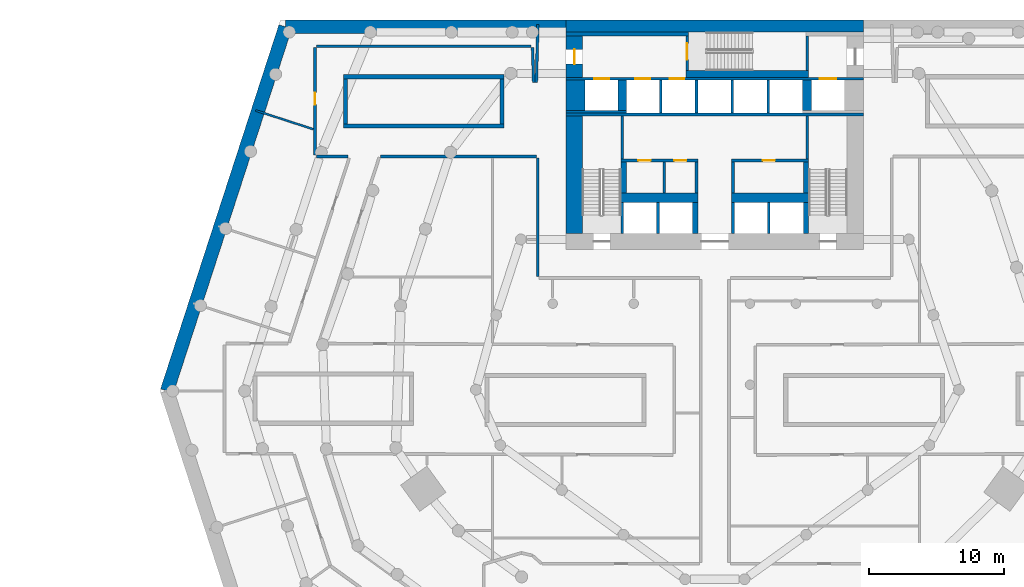
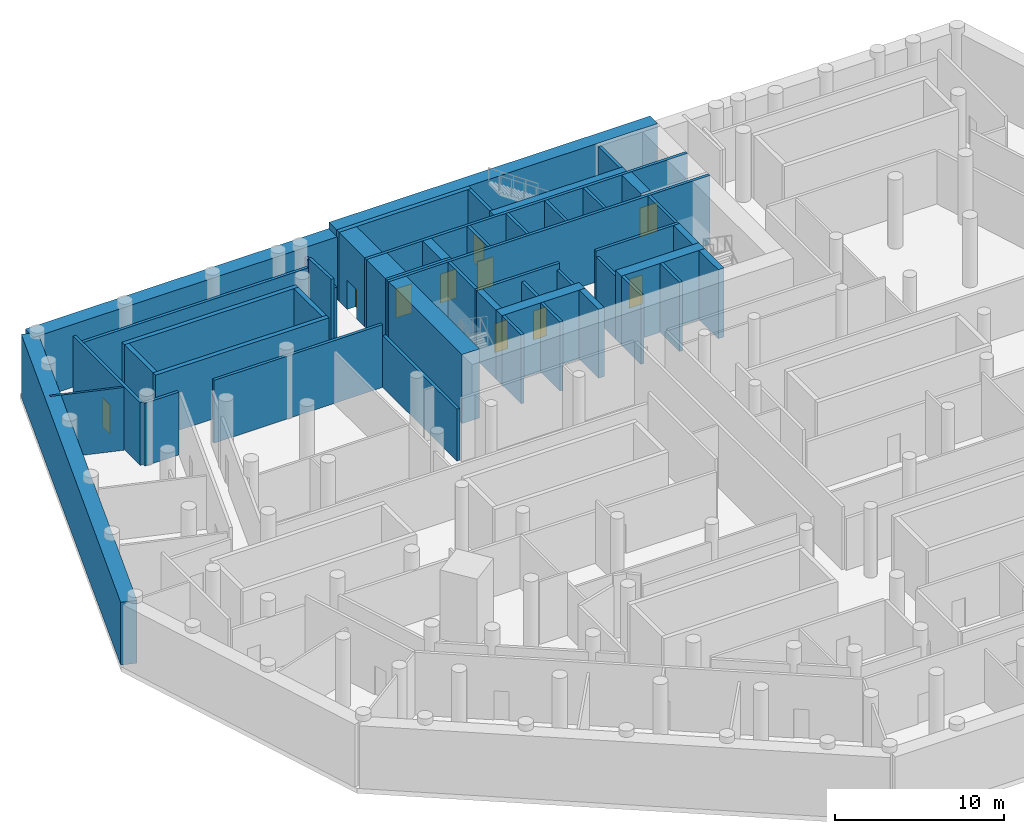
# One storey, part 8 of 10: 48 walls, 10 doors, 10 openings.
"""IFC4 building model written with IfcOpenShell, lengths in metres."""

from ifc_helpers import new_model, si_unit, direction, frame, frame_2d, origin, place, context, subcontext, project, spatial, rectangle, extrude, material, layer, layer_set, type_object, element, fill, save


model = new_model("IFC4")

# Units and contexts
model_context = context("Model", 3, precision=1e-05, world=origin(), true_north=direction((0.0, 1.0)))
body_context = subcontext(model_context, "Body", "Model", "MODEL_VIEW")
ifc_project = project(units=[si_unit("LENGTHUNIT", "METRE"), si_unit("AREAUNIT", "SQUARE_METRE"), si_unit("VOLUMEUNIT", "CUBIC_METRE"), si_unit("PLANEANGLEUNIT", "RADIAN"), si_unit("MASSUNIT", "GRAM", prefix="KILO")], contexts=[model_context])

# Site, building, storey
site_placement = place(None, origin())
site = spatial("IfcSite", under=ifc_project, at=site_placement, CompositionType="ELEMENT")
building_placement = place(site_placement, origin())
building = spatial("IfcBuilding", under=site, at=building_placement, Name="White Candle Pilgrim Tower", CompositionType="ELEMENT")
storey_placement = place(building_placement, frame((0.0, 0.0, -5.0)))
storey = spatial("IfcBuildingStorey", under=building, at=storey_placement, Name="B1", CompositionType="ELEMENT", Elevation=-5.0)

# Wall, opening, door
ifc_material_1 = material(Name="Concrete C70/85", Category="concrete")
ifc_layer_1 = layer(ifc_material_1, 1.199951171875)
ifc_layer_set_1 = layer_set([ifc_layer_1], Name="Core wall 1200 mm Concrete C70/85")
wall_type_1 = type_object("IfcWallType", Name="Core wall 1200 mm Concrete C70/85", PredefinedType="SHEAR", material=ifc_layer_set_1)
wall_1_placement = place(storey_placement, frame((59.60009765625, 83.75, 0.0), z_axis=(0.0, 0.0, 1.0), x_axis=(0.0, 1.0, 0.0)))
wall_1 = element("IfcWall", 1, at=wall_1_placement, inside=storey, type_object=wall_type_1, Name="WL-B1-C33", PredefinedType="SHEAR", context=body_context, shape_type="SweptSolid", body=[
    extrude(rectangle(XDim=3.050048828125, YDim=1.199951171875, at=frame_2d((1.52490234375, 0.0))), origin(), (0.0, 0.0, 1.0), 5.0),
])
opening_1_placement = place(wall_1_placement, frame((0.97509765625, 0.0, 0.0)))
opening_1 = element("IfcOpeningElement", 2, at=opening_1_placement, cuts=wall_1, Name="Opening B1-005", PredefinedType="OPENING", context=body_context, shape_type="SweptSolid", body=[
    extrude(rectangle(XDim=1.10009765625, YDim=2.10009765625, at=frame_2d((0.550048828125, 1.050048828125))), frame((0.0, 0.60986328125, 0.0), z_axis=(0.0, -1.0, 0.0), x_axis=(1.0, 0.0, 0.0)), (0.0, 0.0, 1.0), 1.219970703125),
])
ifc_material_2 = material(Name="Steel door leaf", Category="steel")
door_type_1 = type_object("IfcDoorType", Name="Fire door 1100 x 2100 EI 60", OperationType="NOTDEFINED", PredefinedType="DOOR", material=ifc_material_2)
door_1_placement = place(opening_1_placement, origin())
door_1 = element("IfcDoor", 3, at=door_1_placement, inside=storey, type_object=door_type_1, Name="Door B1-005", OperationType="SINGLE_SWING_LEFT", OverallHeight=2.10009765625, OverallWidth=1.10009765625, PredefinedType="DOOR", context=body_context, shape_type="SweptSolid", body=[
    extrude(rectangle(XDim=1.10009765625, YDim=2.10009765625, at=frame_2d((0.550048828125, 1.050048828125))), frame((0.0, 0.02490234375, 0.0), z_axis=(0.0, -1.0, 0.0), x_axis=(1.0, 0.0, 0.0)), (0.0, 0.0, 1.0), 0.050048828125),
])
fill(opening_1, door_1)

# Walls
ifc_layer_2 = layer(ifc_material_1, 1.39990234375)
ifc_layer_set_2 = layer_set([ifc_layer_2], Name="Core wall 1400 mm Concrete C70/85")
wall_type_2 = type_object("IfcWallType", Name="Core wall 1400 mm Concrete C70/85", PredefinedType="SHEAR", material=ifc_layer_set_2)
wall_2_placement = place(storey_placement, frame((59.699951171875, 81.300048828125, 0.0), z_axis=(0.0, 0.0, 1.0), x_axis=(0.0, 1.0, 0.0)))
element("IfcWall", 4, at=wall_2_placement, inside=storey, type_object=wall_type_2, Name="WL-B1-C28", PredefinedType="SHEAR", context=body_context, shape_type="SweptSolid", body=[
    extrude(rectangle(XDim=2.25, YDim=1.39990234375, at=frame_2d((1.125, 0.0))), origin(), (0.0, 0.0, 1.0), 5.0),
])
ifc_layer_3 = layer(ifc_material_1, 0.199951171875)
ifc_layer_set_3 = layer_set([ifc_layer_3], Name="Core wall 200 mm Concrete C70/85")
wall_type_3 = type_object("IfcWallType", Name="Core wall 200 mm Concrete C70/85", PredefinedType="SHEAR", material=ifc_layer_set_3)
wall_3_placement = place(storey_placement, frame((59.0, 81.199951171875, 0.0), z_axis=(0.0, 0.0, 1.0), x_axis=(1.0, 0.0, 0.0)))
element("IfcWall", 5, at=wall_3_placement, inside=storey, type_object=wall_type_3, Name="WL-B1-C22", PredefinedType="SHEAR", context=body_context, shape_type="SweptSolid", body=[
    extrude(rectangle(XDim=4.449951171875, YDim=0.199951171875, at=frame_2d((2.22509765625, 0.0))), origin(), (0.0, 0.0, 1.0), 5.0),
])

# Wall, openings, doors
wall_4_placement = place(storey_placement, frame((59.0, 83.64990234375, 0.0), z_axis=(0.0, 0.0, 1.0), x_axis=(1.0, 0.0, 0.0)))
wall_4 = element("IfcWall", 6, at=wall_4_placement, inside=storey, type_object=wall_type_3, Name="WL-B1-C32", PredefinedType="SHEAR", context=body_context, shape_type="SweptSolid", body=[
    extrude(rectangle(XDim=22.0, YDim=0.199951171875, at=frame_2d((11.0, 0.0))), origin(), (0.0, 0.0, 1.0), 5.0),
])
opening_2_placement = place(wall_4_placement, frame((5.125, 0.0, 0.0)))
opening_2 = element("IfcOpeningElement", 7, at=opening_2_placement, cuts=wall_4, Name="Opening B1-007", PredefinedType="OPENING", context=body_context, shape_type="SweptSolid", body=[
    extrude(rectangle(XDim=1.10009765625, YDim=2.10009765625, at=frame_2d((0.550048828125, 1.050048828125))), frame((0.0, 0.10986328125, 0.0), z_axis=(0.0, -1.0, 0.0), x_axis=(1.0, 0.0, 0.0)), (0.0, 0.0, 1.0), 0.219970703125),
])
opening_3_placement = place(wall_4_placement, frame((7.64990234375, 0.0, 0.0)))
opening_3 = element("IfcOpeningElement", 8, at=opening_3_placement, cuts=wall_4, Name="Opening B1-008", PredefinedType="OPENING", context=body_context, shape_type="SweptSolid", body=[
    extrude(rectangle(XDim=1.10009765625, YDim=2.10009765625, at=frame_2d((0.550048828125, 1.050048828125))), frame((0.0, 0.10986328125, 0.0), z_axis=(0.0, -1.0, 0.0), x_axis=(1.0, 0.0, 0.0)), (0.0, 0.0, 1.0), 0.219970703125),
])
opening_4_placement = place(wall_4_placement, frame((18.77490234375, 0.0, 0.0)))
opening_4 = element("IfcOpeningElement", 9, at=opening_4_placement, cuts=wall_4, Name="Opening B1-009", PredefinedType="OPENING", context=body_context, shape_type="SweptSolid", body=[
    extrude(rectangle(XDim=1.199951171875, YDim=2.10009765625, at=frame_2d((0.60009765625, 1.050048828125))), frame((0.0, 0.10986328125, 0.0), z_axis=(0.0, -1.0, 0.0), x_axis=(1.0, 0.0, 0.0)), (0.0, 0.0, 1.0), 0.219970703125),
])
opening_5_placement = place(wall_4_placement, frame((2.074951171875, 0.0, 0.0)))
opening_5 = element("IfcOpeningElement", 10, at=opening_5_placement, cuts=wall_4, Name="Opening B1-010", PredefinedType="OPENING", context=body_context, shape_type="SweptSolid", body=[
    extrude(rectangle(XDim=1.10009765625, YDim=2.10009765625, at=frame_2d((0.550048828125, 1.050048828125))), frame((0.0, 0.10986328125, 0.0), z_axis=(0.0, -1.0, 0.0), x_axis=(1.0, 0.0, 0.0)), (0.0, 0.0, 1.0), 0.219970703125),
])
ifc_material_3 = material(Name="Stainless steel", Category="steel")
door_type_2 = type_object("IfcDoorType", Name="Lift landing door 1100 x 2100 EI 60", OperationType="DOUBLE_DOOR_SLIDING", PredefinedType="DOOR", material=ifc_material_3)
door_2_placement = place(opening_2_placement, origin())
door_2 = element("IfcDoor", 11, at=door_2_placement, inside=storey, type_object=door_type_2, Name="Door B1-007", OperationType="DOUBLE_DOOR_SLIDING", OverallHeight=2.10009765625, OverallWidth=1.10009765625, PredefinedType="DOOR", context=body_context, shape_type="SweptSolid", body=[
    extrude(rectangle(XDim=1.10009765625, YDim=2.10009765625, at=frame_2d((0.550048828125, 1.050048828125))), frame((0.0, 0.02490234375, 0.0), z_axis=(0.0, -1.0, 0.0), x_axis=(1.0, 0.0, 0.0)), (0.0, 0.0, 1.0), 0.050048828125),
])
fill(opening_2, door_2)
door_3_placement = place(opening_3_placement, origin())
door_3 = element("IfcDoor", 12, at=door_3_placement, inside=storey, type_object=door_type_2, Name="Door B1-008", OperationType="DOUBLE_DOOR_SLIDING", OverallHeight=2.10009765625, OverallWidth=1.10009765625, PredefinedType="DOOR", context=body_context, shape_type="SweptSolid", body=[
    extrude(rectangle(XDim=1.10009765625, YDim=2.10009765625, at=frame_2d((0.550048828125, 1.050048828125))), frame((0.0, 0.02490234375, 0.0), z_axis=(0.0, -1.0, 0.0), x_axis=(1.0, 0.0, 0.0)), (0.0, 0.0, 1.0), 0.050048828125),
])
fill(opening_3, door_3)
door_4_placement = place(opening_5_placement, origin())
door_4 = element("IfcDoor", 13, at=door_4_placement, inside=storey, type_object=door_type_2, Name="Door B1-010", OperationType="DOUBLE_DOOR_SLIDING", OverallHeight=2.10009765625, OverallWidth=1.10009765625, PredefinedType="DOOR", context=body_context, shape_type="SweptSolid", body=[
    extrude(rectangle(XDim=1.10009765625, YDim=2.10009765625, at=frame_2d((0.550048828125, 1.050048828125))), frame((0.0, 0.02490234375, 0.0), z_axis=(0.0, -1.0, 0.0), x_axis=(1.0, 0.0, 0.0)), (0.0, 0.0, 1.0), 0.050048828125),
])
fill(opening_5, door_4)
door_type_3 = type_object("IfcDoorType", Name="Lift landing door 1200 x 2100 E 60", OperationType="DOUBLE_DOOR_SLIDING", PredefinedType="DOOR", material=ifc_material_3)
door_5_placement = place(opening_4_placement, origin())
door_5 = element("IfcDoor", 14, at=door_5_placement, inside=storey, type_object=door_type_3, Name="Door B1-009", OperationType="DOUBLE_DOOR_SLIDING", OverallHeight=2.10009765625, OverallWidth=1.199951171875, PredefinedType="DOOR", context=body_context, shape_type="SweptSolid", body=[
    extrude(rectangle(XDim=1.199951171875, YDim=2.10009765625, at=frame_2d((0.60009765625, 1.050048828125))), frame((0.0, 0.02490234375, 0.0), z_axis=(0.0, -1.0, 0.0), x_axis=(1.0, 0.0, 0.0)), (0.0, 0.0, 1.0), 0.050048828125),
])
fill(opening_4, door_5)

# Wall
ifc_material_4 = material(Name="Gypsum board on steel studs", Category="steel")
ifc_layer_4 = layer(ifc_material_4, 0.199951171875)
ifc_layer_set_4 = layer_set([ifc_layer_4], Name="Corridor wall 200 mm EI 45")
wall_type_4 = type_object("IfcWallType", Name="Corridor wall 200 mm EI 45", PredefinedType="PARTITIONING", material=ifc_layer_set_4)
wall_5_placement = place(storey_placement, frame((42.8349609375, 77.89990234375, 0.0), z_axis=(0.0, 0.0, 1.0), x_axis=(-1.0, 0.0, 0.0)))
element("IfcWall", 15, at=wall_5_placement, inside=storey, type_object=wall_type_4, Name="WL-B1-P006", PredefinedType="PARTITIONING", context=body_context, shape_type="SweptSolid", body=[
    extrude(rectangle(XDim=2.3349609375, YDim=0.199951171875, at=frame_2d((1.16748046875, 0.0))), origin(), (0.0, 0.0, 1.0), 4.550048828125),
])

# Wall, opening, door
wall_6_placement = place(storey_placement, frame((40.39990234375, 78.0, 0.0), z_axis=(0.0, 0.0, 1.0), x_axis=(0.0, 1.0, 0.0)))
wall_6 = element("IfcWall", 16, at=wall_6_placement, inside=storey, type_object=wall_type_4, Name="WL-B1-P007", PredefinedType="PARTITIONING", context=body_context, shape_type="SweptSolid", body=[
    extrude(rectangle(XDim=7.949951171875, YDim=0.199951171875, at=frame_2d((3.97509765625, 0.0))), origin(), (0.0, 0.0, 1.0), 4.550048828125),
])
opening_6_placement = place(wall_6_placement, frame((3.7275390625, 0.0, 0.0)))
opening_6 = element("IfcOpeningElement", 17, at=opening_6_placement, cuts=wall_6, Name="Opening B1-101", PredefinedType="OPENING", context=body_context, shape_type="SweptSolid", body=[
    extrude(rectangle(XDim=0.89990234375, YDim=2.10009765625, at=frame_2d((0.449951171875, 1.050048828125))), frame((0.0, 0.10986328125, 0.0), z_axis=(0.0, -1.0, 0.0), x_axis=(1.0, 0.0, 0.0)), (0.0, 0.0, 1.0), 0.219970703125),
])
door_type_4 = type_object("IfcDoorType", Name="Fire door 900 x 2100 EI 30", OperationType="NOTDEFINED", PredefinedType="DOOR", material=ifc_material_2)
door_6_placement = place(opening_6_placement, origin())
door_6 = element("IfcDoor", 18, at=door_6_placement, inside=storey, type_object=door_type_4, Name="Door B1-101", OperationType="SINGLE_SWING_LEFT", OverallHeight=2.10009765625, OverallWidth=0.89990234375, PredefinedType="DOOR", context=body_context, shape_type="SweptSolid", body=[
    extrude(rectangle(XDim=0.89990234375, YDim=2.10009765625, at=frame_2d((0.449951171875, 1.050048828125))), frame((0.0, 0.02490234375, 0.0), z_axis=(0.0, -1.0, 0.0), x_axis=(1.0, 0.0, 0.0)), (0.0, 0.0, 1.0), 0.050048828125),
])
fill(opening_6, door_6)

# Walls
wall_7_placement = place(storey_placement, frame((40.5, 86.050048828125, 0.0), z_axis=(0.0, 0.0, 1.0), x_axis=(1.0, 0.0, 0.0)))
element("IfcWall", 19, at=wall_7_placement, inside=storey, type_object=wall_type_4, Name="WL-B1-P008", PredefinedType="PARTITIONING", context=body_context, shape_type="SweptSolid", body=[
    extrude(rectangle(XDim=15.9033203125, YDim=0.199951171875, at=frame_2d((7.95166015625, 0.0))), origin(), (0.0, 0.0, 1.0), 3.85009765625),
])
wall_8_placement = place(storey_placement, frame((56.503173828125, 85.953369140625, 0.0), z_axis=(0.0, 0.0, 1.0), x_axis=(0.033027267016, -0.999454451005, 0.0)))
element("IfcWall", 20, at=wall_8_placement, inside=storey, type_object=wall_type_4, Name="WL-B1-P009", PredefinedType="PARTITIONING", context=body_context, shape_type="SweptSolid", body=[
    extrude(rectangle(XDim=2.572509765625, YDim=0.199951171875, at=frame_2d((1.2861328125, 0.0))), origin(), (0.0, 0.0, 1.0), 4.550048828125),
])
wall_9_placement = place(storey_placement, frame((56.7880859375, 83.383056640625, 0.0), z_axis=(0.0, 0.0, 1.0), x_axis=(0.026025742555, 0.999661272994, 0.0)))
element("IfcWall", 21, at=wall_9_placement, inside=storey, type_object=wall_type_4, Name="WL-B1-P010", PredefinedType="PARTITIONING", context=body_context, shape_type="SweptSolid", body=[
    extrude(rectangle(XDim=4.29638671875, YDim=0.199951171875, at=frame_2d((2.148193359375, 0.0))), origin(), (0.0, 0.0, 1.0), 3.85009765625),
])
wall_10_placement = place(storey_placement, frame((56.89990234375, 69.0, 0.0), z_axis=(0.0, 0.0, 1.0), x_axis=(0.0, 1.0, 0.0)))
element("IfcWall", 22, at=wall_10_placement, inside=storey, type_object=wall_type_4, Name="WL-B1-P051", PredefinedType="PARTITIONING", context=body_context, shape_type="SweptSolid", body=[
    extrude(rectangle(XDim=8.800048828125, YDim=0.199951171875, at=frame_2d((4.39990234375, 0.0))), origin(), (0.0, 0.0, 1.0), 3.75),
])
wall_11_placement = place(storey_placement, frame((56.800048828125, 77.89990234375, 0.0), z_axis=(0.0, 0.0, 1.0), x_axis=(-1.0, 0.0, 0.0)))
element("IfcWall", 23, at=wall_11_placement, inside=storey, type_object=wall_type_4, Name="WL-B1-P052", PredefinedType="PARTITIONING", context=body_context, shape_type="SweptSolid", body=[
    extrude(rectangle(XDim=11.546875, YDim=0.199951171875, at=frame_2d((5.7734375, 0.0))), origin(), (0.0, 0.0, 1.0), 4.550048828125),
])
ifc_material_5 = material(Name="Concrete C40/50", Category="concrete")
ifc_layer_5 = layer(ifc_material_5, 1.0)
ifc_layer_set_5 = layer_set([ifc_layer_5], Name="Diaphragm wall 1000")
wall_type_5 = type_object("IfcWallType", Name="Diaphragm wall 1000", PredefinedType="SOLIDWALL", material=ifc_layer_set_5)
wall_12_placement = place(storey_placement, frame((29.44580078125, 60.539306640625, 0.0), z_axis=(0.0, 0.0, 1.0), x_axis=(0.309015382076, 0.951057040161, 0.0)))
element("IfcWall", 24, at=wall_12_placement, inside=storey, type_object=wall_type_5, Name="Diaphragm wall B1-06", PredefinedType="SOLIDWALL", context=body_context, shape_type="SweptSolid", body=[
    extrude(rectangle(XDim=28.34814453125, YDim=1.0, at=frame_2d((14.174072265625, 0.0))), origin(), (0.0, 0.0, 1.0), 4.550048828125),
])
wall_13_placement = place(storey_placement, frame((38.205810546875, 87.5, 0.0), z_axis=(0.0, 0.0, 1.0), x_axis=(1.0, 0.0, 0.0)))
element("IfcWall", 25, at=wall_13_placement, inside=storey, type_object=wall_type_5, Name="Diaphragm wall B1-07", PredefinedType="SOLIDWALL", context=body_context, shape_type="SweptSolid", body=[
    extrude(rectangle(XDim=20.794189453125, YDim=1.0, at=frame_2d((10.39697265625, 0.0))), origin(), (0.0, 0.0, 1.0), 4.550048828125),
])
ifc_layer_6 = layer(ifc_material_4, 0.199951171875)
ifc_layer_set_6 = layer_set([ifc_layer_6], Name="Lobby wall 200 mm EI 60")
wall_type_6 = type_object("IfcWallType", Name="Lobby wall 200 mm EI 60", PredefinedType="PARTITIONING", material=ifc_layer_set_6)
for number, where, z_axis, x_axis, name in (
    (26, (66.2451171875, 75.199951171875, 0.0), (0.0, 0.0, 1.0), (0.0, 1.0, 0.0), "WL-B1-C13"),
    (27, (68.64990234375, 75.199951171875, 0.0), (0.0, 0.0, 1.0), (0.0, 1.0, 0.0), "WL-B1-C14"),
    (28, (71.35009765625, 75.199951171875, 0.0), (0.0, 0.0, 1.0), (0.0, 1.0, 0.0), "WL-B1-C15"),
):
    element("IfcWall", number, at=place(storey_placement, frame(where, z_axis=z_axis, x_axis=x_axis)), inside=storey, type_object=wall_type_6, Name=name, PredefinedType="PARTITIONING", context=body_context, shape_type="SweptSolid", body=[
        extrude(rectangle(XDim=2.300048828125, YDim=0.199951171875, at=frame_2d((1.14990234375, 0.0))), origin(), (0.0, 0.0, 1.0), 4.550048828125),
    ])
ifc_layer_7 = layer(ifc_material_4, 0.14990234375)
ifc_layer_set_7 = layer_set([ifc_layer_7], Name="Partition 150 mm EI 60")
wall_type_7 = type_object("IfcWallType", Name="Partition 150 mm EI 60", PredefinedType="PARTITIONING", material=ifc_layer_set_7)
wall_14_placement = place(storey_placement, frame((36.003173828125, 81.3037109375, 0.0), z_axis=(0.0, 0.0, 1.0), x_axis=(0.951052033902, -0.309030789422, 0.0)))
element("IfcWall", 29, at=wall_14_placement, inside=storey, type_object=wall_type_7, Name="WL-B1-P065", PredefinedType="PARTITIONING", context=body_context, shape_type="SweptSolid", body=[
    extrude(rectangle(XDim=4.49365234375, YDim=0.14990234375, at=frame_2d((2.246826171875, 0.0))), origin(), (0.0, 0.0, 1.0), 4.550048828125),
])
ifc_layer_8 = layer(ifc_material_1, 0.199951171875)
ifc_layer_set_8 = layer_set([ifc_layer_8], Name="Shaft wall 200 mm Concrete C70/85")
wall_type_8 = type_object("IfcWallType", Name="Shaft wall 200 mm Concrete C70/85", PredefinedType="SHEAR", material=ifc_layer_set_8)
for number, where, z_axis, x_axis, name in (
    (30, (65.800048828125, 72.199951171875, 0.0), (0.0, 0.0, 1.0), (0.0, 1.0, 0.0), "WL-B1-C04"),
    (31, (71.35009765625, 72.199951171875, 0.0), (0.0, 0.0, 1.0), (0.0, 1.0, 0.0), "WL-B1-C06"),
    (32, (74.0, 72.199951171875, 0.0), (0.0, 0.0, 1.0), (0.0, 1.0, 0.0), "WL-B1-C07"),
):
    element("IfcWall", number, at=place(storey_placement, frame(where, z_axis=z_axis, x_axis=x_axis)), inside=storey, type_object=wall_type_8, Name=name, PredefinedType="SHEAR", context=body_context, shape_type="SweptSolid", body=[
        extrude(rectangle(XDim=2.300048828125, YDim=0.199951171875, at=frame_2d((1.14990234375, 0.0))), origin(), (0.0, 0.0, 1.0), 5.0),
    ])
for number, where, z_axis, x_axis, name in (
    (33, (66.0, 81.10009765625, 0.0), (0.0, 0.0, 1.0), (0.0, 1.0, 0.0), "WL-B1-C23"),
    (34, (68.64990234375, 81.10009765625, 0.0), (0.0, 0.0, 1.0), (0.0, 1.0, 0.0), "WL-B1-C24"),
    (35, (71.300048828125, 81.10009765625, 0.0), (0.0, 0.0, 1.0), (0.0, 1.0, 0.0), "WL-B1-C25"),
    (36, (73.949951171875, 81.10009765625, 0.0), (0.0, 0.0, 1.0), (0.0, 1.0, 0.0), "WL-B1-C26"),
):
    element("IfcWall", number, at=place(storey_placement, frame(where, z_axis=z_axis, x_axis=x_axis)), inside=storey, type_object=wall_type_8, Name=name, PredefinedType="SHEAR", context=body_context, shape_type="SweptSolid", body=[
        extrude(rectangle(XDim=2.449951171875, YDim=0.199951171875, at=frame_2d((1.22509765625, 0.0))), origin(), (0.0, 0.0, 1.0), 5.0),
    ])
ifc_material_6 = material(Name="Concrete C60/75", Category="concrete")
ifc_layer_9 = layer(ifc_material_6, 0.300048828125)
ifc_layer_set_9 = layer_set([ifc_layer_9], Name="Shaft wall 300 mm Concrete C60/75")
wall_type_9 = type_object("IfcWallType", Name="Shaft wall 300 mm Concrete C60/75", PredefinedType="SHEAR", material=ifc_layer_set_9)
for number, where, z_axis, x_axis, name in (
    (37, (42.5, 80.14990234375, 0.0), (0.0, 0.0, 1.0), (1.0, 0.0, 0.0), "WL-B1-PB10S"),
    (38, (42.5, 83.800048828125, 0.0), (0.0, 0.0, 1.0), (1.0, 0.0, 0.0), "WL-B1-PB10N"),
):
    element("IfcWall", number, at=place(storey_placement, frame(where, z_axis=z_axis, x_axis=x_axis)), inside=storey, type_object=wall_type_9, Name=name, PredefinedType="SHEAR", context=body_context, shape_type="SweptSolid", body=[
        extrude(rectangle(XDim=11.89990234375, YDim=0.300048828125, at=frame_2d((5.949951171875, 0.0))), origin(), (0.0, 0.0, 1.0), 4.550048828125),
    ])
for number, where, z_axis, x_axis, name in (
    (39, (42.64990234375, 80.300048828125, 0.0), (0.0, 0.0, 1.0), (0.0, 1.0, 0.0), "WL-B1-PB10W"),
    (40, (54.25, 80.300048828125, 0.0), (0.0, 0.0, 1.0), (0.0, 1.0, 0.0), "WL-B1-PB10E"),
):
    element("IfcWall", number, at=place(storey_placement, frame(where, z_axis=z_axis, x_axis=x_axis)), inside=storey, type_object=wall_type_9, Name=name, PredefinedType="SHEAR", context=body_context, shape_type="SweptSolid", body=[
        extrude(rectangle(XDim=3.349853515625, YDim=0.300048828125, at=frame_2d((1.6748046875, 0.0))), origin(), (0.0, 0.0, 1.0), 4.550048828125),
    ])
ifc_layer_10 = layer(ifc_material_1, 0.39990234375)
ifc_layer_set_10 = layer_set([ifc_layer_10], Name="Shaft wall 400 mm Concrete C70/85")
wall_type_10 = type_object("IfcWallType", Name="Shaft wall 400 mm Concrete C70/85", PredefinedType="SHEAR", material=ifc_layer_set_10)
wall_15_placement = place(storey_placement, frame((68.550048828125, 72.199951171875, 0.0), z_axis=(0.0, 0.0, 1.0), x_axis=(0.0, 1.0, 0.0)))
element("IfcWall", 41, at=wall_15_placement, inside=storey, type_object=wall_type_10, Name="WL-B1-C05", PredefinedType="SHEAR", context=body_context, shape_type="SweptSolid", body=[
    extrude(rectangle(XDim=2.300048828125, YDim=0.39990234375, at=frame_2d((1.14990234375, 0.0))), origin(), (0.0, 0.0, 1.0), 5.0),
])
ifc_layer_11 = layer(ifc_material_1, 0.60009765625)
ifc_layer_set_11 = layer_set([ifc_layer_11], Name="Shaft wall 600 mm Concrete C70/85")
wall_type_11 = type_object("IfcWallType", Name="Shaft wall 600 mm Concrete C70/85", PredefinedType="SHEAR", material=ifc_layer_set_11)
wall_16_placement = place(storey_placement, frame((63.14990234375, 81.300048828125, 0.0), z_axis=(0.0, 0.0, 1.0), x_axis=(0.0, 1.0, 0.0)))
element("IfcWall", 42, at=wall_16_placement, inside=storey, type_object=wall_type_11, Name="WL-B1-C29", PredefinedType="SHEAR", context=body_context, shape_type="SweptSolid", body=[
    extrude(rectangle(XDim=2.25, YDim=0.60009765625, at=frame_2d((1.125, 0.0))), origin(), (0.0, 0.0, 1.0), 5.0),
])
ifc_layer_12 = layer(ifc_material_1, 0.64990234375)
ifc_layer_set_12 = layer_set([ifc_layer_12], Name="Shaft wall 650 mm Concrete C70/85")
wall_type_12 = type_object("IfcWallType", Name="Shaft wall 650 mm Concrete C70/85", PredefinedType="SHEAR", material=ifc_layer_set_12)
wall_17_placement = place(storey_placement, frame((76.824951171875, 81.300048828125, 0.0), z_axis=(0.0, 0.0, 1.0), x_axis=(0.0, 1.0, 0.0)))
element("IfcWall", 43, at=wall_17_placement, inside=storey, type_object=wall_type_12, Name="WL-B1-C30", PredefinedType="SHEAR", context=body_context, shape_type="SweptSolid", body=[
    extrude(rectangle(XDim=2.25, YDim=0.64990234375, at=frame_2d((1.125, 0.0))), origin(), (0.0, 0.0, 1.0), 5.0),
])
ifc_layer_13 = layer(ifc_material_1, 1.199951171875)
ifc_layer_set_13 = layer_set([ifc_layer_13], Name="Stair shaft wall 1200 mm Concrete C70/85")
wall_type_13 = type_object("IfcWallType", Name="Stair shaft wall 1200 mm Concrete C70/85", PredefinedType="SHEAR", material=ifc_layer_set_13)
wall_18_placement = place(storey_placement, frame((59.60009765625, 72.199951171875, 0.0), z_axis=(0.0, 0.0, 1.0), x_axis=(0.0, 1.0, 0.0)))
element("IfcWall", 44, at=wall_18_placement, inside=storey, type_object=wall_type_13, Name="WL-B1-C02", PredefinedType="SHEAR", context=body_context, shape_type="SweptSolid", body=[
    extrude(rectangle(XDim=8.699951171875, YDim=1.199951171875, at=frame_2d((4.35009765625, 0.0))), origin(), (0.0, 0.0, 1.0), 5.0),
])
ifc_layer_14 = layer(ifc_material_1, 0.199951171875)
ifc_layer_set_14 = layer_set([ifc_layer_14], Name="Stair shaft wall 200 mm Concrete C70/85")
wall_type_14 = type_object("IfcWallType", Name="Stair shaft wall 200 mm Concrete C70/85", PredefinedType="SHEAR", material=ifc_layer_set_14)
wall_19_placement = place(storey_placement, frame((63.14990234375, 72.199951171875, 0.0), z_axis=(0.0, 0.0, 1.0), x_axis=(0.0, 1.0, 0.0)))
element("IfcWall", 45, at=wall_19_placement, inside=storey, type_object=wall_type_14, Name="WL-B1-C03", PredefinedType="SHEAR", context=body_context, shape_type="SweptSolid", body=[
    extrude(rectangle(XDim=2.300048828125, YDim=0.199951171875, at=frame_2d((1.14990234375, 0.0))), origin(), (0.0, 0.0, 1.0), 5.0),
])

# Wall, openings, doors
wall_20_placement = place(storey_placement, frame((63.050048828125, 77.60009765625, 0.0), z_axis=(0.0, 0.0, 1.0), x_axis=(1.0, 0.0, 0.0)))
wall_20 = element("IfcWall", 46, at=wall_20_placement, inside=storey, type_object=wall_type_14, Name="WL-B1-C17", PredefinedType="SHEAR", context=body_context, shape_type="SweptSolid", body=[
    extrude(rectangle(XDim=5.699951171875, YDim=0.199951171875, at=frame_2d((2.85009765625, 0.0))), origin(), (0.0, 0.0, 1.0), 5.0),
])
opening_7_placement = place(wall_20_placement, frame((1.297607421875, 0.0, 0.0)))
opening_7 = element("IfcOpeningElement", 47, at=opening_7_placement, cuts=wall_20, Name="Opening B1-011", PredefinedType="OPENING", context=body_context, shape_type="SweptSolid", body=[
    extrude(rectangle(XDim=0.89990234375, YDim=2.10009765625, at=frame_2d((0.449951171875, 1.050048828125))), frame((0.0, 0.10986328125, 0.0), z_axis=(0.0, -1.0, 0.0), x_axis=(1.0, 0.0, 0.0)), (0.0, 0.0, 1.0), 0.219970703125),
])
opening_8_placement = place(wall_20_placement, frame((3.947509765625, 0.0, 0.0)))
opening_8 = element("IfcOpeningElement", 48, at=opening_8_placement, cuts=wall_20, Name="Opening B1-012", PredefinedType="OPENING", context=body_context, shape_type="SweptSolid", body=[
    extrude(rectangle(XDim=0.89990234375, YDim=2.10009765625, at=frame_2d((0.449951171875, 1.050048828125))), frame((0.0, 0.10986328125, 0.0), z_axis=(0.0, -1.0, 0.0), x_axis=(1.0, 0.0, 0.0)), (0.0, 0.0, 1.0), 0.219970703125),
])
door_7_placement = place(opening_7_placement, origin())
door_7 = element("IfcDoor", 49, at=door_7_placement, inside=storey, type_object=door_type_4, Name="Door B1-011", OperationType="SINGLE_SWING_LEFT", OverallHeight=2.10009765625, OverallWidth=0.89990234375, PredefinedType="DOOR", context=body_context, shape_type="SweptSolid", body=[
    extrude(rectangle(XDim=0.89990234375, YDim=2.10009765625, at=frame_2d((0.449951171875, 1.050048828125))), frame((0.0, 0.02490234375, 0.0), z_axis=(0.0, -1.0, 0.0), x_axis=(1.0, 0.0, 0.0)), (0.0, 0.0, 1.0), 0.050048828125),
])
fill(opening_7, door_7)
door_8_placement = place(opening_8_placement, origin())
door_8 = element("IfcDoor", 50, at=door_8_placement, inside=storey, type_object=door_type_4, Name="Door B1-012", OperationType="SINGLE_SWING_RIGHT", OverallHeight=2.10009765625, OverallWidth=0.89990234375, PredefinedType="DOOR", context=body_context, shape_type="SweptSolid", body=[
    extrude(rectangle(XDim=0.89990234375, YDim=2.10009765625, at=frame_2d((0.449951171875, 1.050048828125))), frame((0.0, 0.02490234375, 0.0), z_axis=(0.0, -1.0, 0.0), x_axis=(1.0, 0.0, 0.0)), (0.0, 0.0, 1.0), 0.050048828125),
])
fill(opening_8, door_8)

# Wall, opening, door
wall_21_placement = place(storey_placement, frame((71.25, 77.60009765625, 0.0), z_axis=(0.0, 0.0, 1.0), x_axis=(1.0, 0.0, 0.0)))
wall_21 = element("IfcWall", 51, at=wall_21_placement, inside=storey, type_object=wall_type_14, Name="WL-B1-C18", PredefinedType="SHEAR", context=body_context, shape_type="SweptSolid", body=[
    extrude(rectangle(XDim=5.699951171875, YDim=0.199951171875, at=frame_2d((2.85009765625, 0.0))), origin(), (0.0, 0.0, 1.0), 5.0),
])
opening_9_placement = place(wall_21_placement, frame((2.300048828125, 0.0, 0.0)))
opening_9 = element("IfcOpeningElement", 52, at=opening_9_placement, cuts=wall_21, Name="Opening B1-013", PredefinedType="OPENING", context=body_context, shape_type="SweptSolid", body=[
    extrude(rectangle(XDim=0.89990234375, YDim=2.10009765625, at=frame_2d((0.449951171875, 1.050048828125))), frame((0.0, 0.10986328125, 0.0), z_axis=(0.0, -1.0, 0.0), x_axis=(1.0, 0.0, 0.0)), (0.0, 0.0, 1.0), 0.219970703125),
])
door_9_placement = place(opening_9_placement, origin())
door_9 = element("IfcDoor", 53, at=door_9_placement, inside=storey, type_object=door_type_4, Name="Door B1-013", OperationType="SINGLE_SWING_LEFT", OverallHeight=2.10009765625, OverallWidth=0.89990234375, PredefinedType="DOOR", context=body_context, shape_type="SweptSolid", body=[
    extrude(rectangle(XDim=0.89990234375, YDim=2.10009765625, at=frame_2d((0.449951171875, 1.050048828125))), frame((0.0, 0.02490234375, 0.0), z_axis=(0.0, -1.0, 0.0), x_axis=(1.0, 0.0, 0.0)), (0.0, 0.0, 1.0), 0.050048828125),
])
fill(opening_9, door_9)

# Walls
for number, where, z_axis, x_axis, name in (
    (54, (63.14990234375, 77.699951171875, 0.0), (0.0, 0.0, 1.0), (0.0, 1.0, 0.0), "WL-B1-C19"),
    (55, (76.85009765625, 77.699951171875, 0.0), (0.0, 0.0, 1.0), (0.0, 1.0, 0.0), "WL-B1-C20"),
):
    element("IfcWall", number, at=place(storey_placement, frame(where, z_axis=z_axis, x_axis=x_axis)), inside=storey, type_object=wall_type_14, Name=name, PredefinedType="SHEAR", context=body_context, shape_type="SweptSolid", body=[
        extrude(rectangle(XDim=3.199951171875, YDim=0.199951171875, at=frame_2d((1.60009765625, 0.0))), origin(), (0.0, 0.0, 1.0), 5.0),
    ])
wall_22_placement = place(storey_placement, frame((59.0, 81.0, 0.0), z_axis=(0.0, 0.0, 1.0), x_axis=(1.0, 0.0, 0.0)))
element("IfcWall", 56, at=wall_22_placement, inside=storey, type_object=wall_type_14, Name="WL-B1-C21", PredefinedType="SHEAR", context=body_context, shape_type="SweptSolid", body=[
    extrude(rectangle(XDim=22.0, YDim=0.199951171875, at=frame_2d((11.0, 0.0))), origin(), (0.0, 0.0, 1.0), 5.0),
])

# Wall, opening, door
wall_23_placement = place(storey_placement, frame((67.949951171875, 84.25, 0.0), z_axis=(0.0, 0.0, 1.0), x_axis=(0.0, 1.0, 0.0)))
wall_23 = element("IfcWall", 57, at=wall_23_placement, inside=storey, type_object=wall_type_14, Name="WL-B1-C36", PredefinedType="SHEAR", context=body_context, shape_type="SweptSolid", body=[
    extrude(rectangle(XDim=2.550048828125, YDim=0.199951171875, at=frame_2d((1.27490234375, 0.0))), origin(), (0.0, 0.0, 1.0), 5.0),
])
opening_10_placement = place(wall_23_placement, frame((0.824951171875, 0.0, 0.0)))
opening_10 = element("IfcOpeningElement", 58, at=opening_10_placement, cuts=wall_23, Name="Opening B1-003", PredefinedType="OPENING", context=body_context, shape_type="SweptSolid", body=[
    extrude(rectangle(XDim=1.199951171875, YDim=2.10009765625, at=frame_2d((0.60009765625, 1.050048828125))), frame((0.0, 0.10986328125, 0.0), z_axis=(0.0, -1.0, 0.0), x_axis=(1.0, 0.0, 0.0)), (0.0, 0.0, 1.0), 0.219970703125),
])
door_type_5 = type_object("IfcDoorType", Name="Fire door 1200 x 2100 EI 60", OperationType="NOTDEFINED", PredefinedType="DOOR", material=ifc_material_2)
door_10_placement = place(opening_10_placement, frame((1.199951171875, 0.0, 0.0), z_axis=(0.0, 0.0, 1.0), x_axis=(-1.0, 0.0, 0.0)))
door_10 = element("IfcDoor", 59, at=door_10_placement, inside=storey, type_object=door_type_5, Name="Door B1-003", OperationType="SINGLE_SWING_RIGHT", OverallHeight=2.10009765625, OverallWidth=1.199951171875, PredefinedType="DOOR", context=body_context, shape_type="SweptSolid", body=[
    extrude(rectangle(XDim=1.199951171875, YDim=2.10009765625, at=frame_2d((0.60009765625, 1.050048828125))), frame((0.0, 0.02490234375, 0.0), z_axis=(0.0, -1.0, 0.0), x_axis=(1.0, 0.0, 0.0)), (0.0, 0.0, 1.0), 0.050048828125),
])
fill(opening_10, door_10)

# Walls
wall_24_placement = place(storey_placement, frame((76.85009765625, 84.25, 0.0), z_axis=(0.0, 0.0, 1.0), x_axis=(0.0, 1.0, 0.0)))
element("IfcWall", 60, at=wall_24_placement, inside=storey, type_object=wall_type_14, Name="WL-B1-C37", PredefinedType="SHEAR", context=body_context, shape_type="SweptSolid", body=[
    extrude(rectangle(XDim=2.550048828125, YDim=0.199951171875, at=frame_2d((1.27490234375, 0.0))), origin(), (0.0, 0.0, 1.0), 5.0),
])
ifc_layer_15 = layer(ifc_material_1, 0.300048828125)
ifc_layer_set_15 = layer_set([ifc_layer_15], Name="Stair shaft wall 300 mm Concrete C70/85")
wall_type_15 = type_object("IfcWallType", Name="Stair shaft wall 300 mm Concrete C70/85", PredefinedType="SHEAR", material=ifc_layer_set_15)
wall_25_placement = place(storey_placement, frame((59.0, 86.949951171875, 0.0), z_axis=(0.0, 0.0, 1.0), x_axis=(1.0, 0.0, 0.0)))
element("IfcWall", 61, at=wall_25_placement, inside=storey, type_object=wall_type_15, Name="WL-B1-C38", PredefinedType="SHEAR", context=body_context, shape_type="SweptSolid", body=[
    extrude(rectangle(XDim=9.050048828125, YDim=0.300048828125, at=frame_2d((4.52490234375, 0.0))), origin(), (0.0, 0.0, 1.0), 5.0),
])
ifc_layer_16 = layer(ifc_material_1, 0.39990234375)
ifc_layer_set_16 = layer_set([ifc_layer_16], Name="Stair shaft wall 400 mm Concrete C70/85")
wall_type_16 = type_object("IfcWallType", Name="Stair shaft wall 400 mm Concrete C70/85", PredefinedType="SHEAR", material=ifc_layer_set_16)
for number, where, z_axis, x_axis, name in (
    (62, (76.75, 72.199951171875, 0.0), (0.0, 0.0, 1.0), (0.0, 1.0, 0.0), "WL-B1-C08"),
    (63, (63.25, 75.199951171875, 0.0), (0.0, 0.0, 1.0), (0.0, 1.0, 0.0), "WL-B1-C12"),
    (64, (76.75, 75.199951171875, 0.0), (0.0, 0.0, 1.0), (0.0, 1.0, 0.0), "WL-B1-C16"),
):
    element("IfcWall", number, at=place(storey_placement, frame(where, z_axis=z_axis, x_axis=x_axis)), inside=storey, type_object=wall_type_16, Name=name, PredefinedType="SHEAR", context=body_context, shape_type="SweptSolid", body=[
        extrude(rectangle(XDim=2.300048828125, YDim=0.39990234375, at=frame_2d((1.14990234375, 0.0))), origin(), (0.0, 0.0, 1.0), 5.0),
    ])
ifc_layer_17 = layer(ifc_material_1, 0.5)
ifc_layer_set_17 = layer_set([ifc_layer_17], Name="Stair shaft wall 500 mm Concrete C70/85")
wall_type_17 = type_object("IfcWallType", Name="Stair shaft wall 500 mm Concrete C70/85", PredefinedType="SHEAR", material=ifc_layer_set_17)
wall_26_placement = place(storey_placement, frame((67.85009765625, 84.0, 0.0), z_axis=(0.0, 0.0, 1.0), x_axis=(1.0, 0.0, 0.0)))
element("IfcWall", 65, at=wall_26_placement, inside=storey, type_object=wall_type_17, Name="WL-B1-C34", PredefinedType="SHEAR", context=body_context, shape_type="SweptSolid", body=[
    extrude(rectangle(XDim=9.099853515625, YDim=0.5, at=frame_2d((4.5498046875, 0.0))), origin(), (0.0, 0.0, 1.0), 5.0),
])
ifc_layer_18 = layer(ifc_material_1, 0.699951171875)
ifc_layer_set_18 = layer_set([ifc_layer_18], Name="Stair shaft wall 700 mm Concrete C70/85")
wall_type_18 = type_object("IfcWallType", Name="Stair shaft wall 700 mm Concrete C70/85", PredefinedType="SHEAR", material=ifc_layer_set_18)
for number, where, z_axis, x_axis, name in (
    (66, (63.050048828125, 74.85009765625, 0.0), (0.0, 0.0, 1.0), (1.0, 0.0, 0.0), "WL-B1-C10"),
    (67, (71.25, 74.85009765625, 0.0), (0.0, 0.0, 1.0), (1.0, 0.0, 0.0), "WL-B1-C11"),
):
    element("IfcWall", number, at=place(storey_placement, frame(where, z_axis=z_axis, x_axis=x_axis)), inside=storey, type_object=wall_type_18, Name=name, PredefinedType="SHEAR", context=body_context, shape_type="SweptSolid", body=[
        extrude(rectangle(XDim=5.699951171875, YDim=0.699951171875, at=frame_2d((2.85009765625, 0.0))), origin(), (0.0, 0.0, 1.0), 5.0),
    ])
ifc_layer_19 = layer(ifc_material_1, 0.89990234375)
ifc_layer_set_19 = layer_set([ifc_layer_19], Name="Stair shaft wall 900 mm Concrete C70/85")
wall_type_19 = type_object("IfcWallType", Name="Stair shaft wall 900 mm Concrete C70/85", PredefinedType="SHEAR", material=ifc_layer_set_19)
wall_27_placement = place(storey_placement, frame((59.0, 87.550048828125, 0.0), z_axis=(0.0, 0.0, 1.0), x_axis=(1.0, 0.0, 0.0)))
element("IfcWall", 68, at=wall_27_placement, inside=storey, type_object=wall_type_19, Name="WL-B1-C40", PredefinedType="SHEAR", context=body_context, shape_type="SweptSolid", body=[
    extrude(rectangle(XDim=22.0, YDim=0.89990234375, at=frame_2d((11.0, 0.0))), origin(), (0.0, 0.0, 1.0), 5.0),
])

save(model, "model.ifc")
